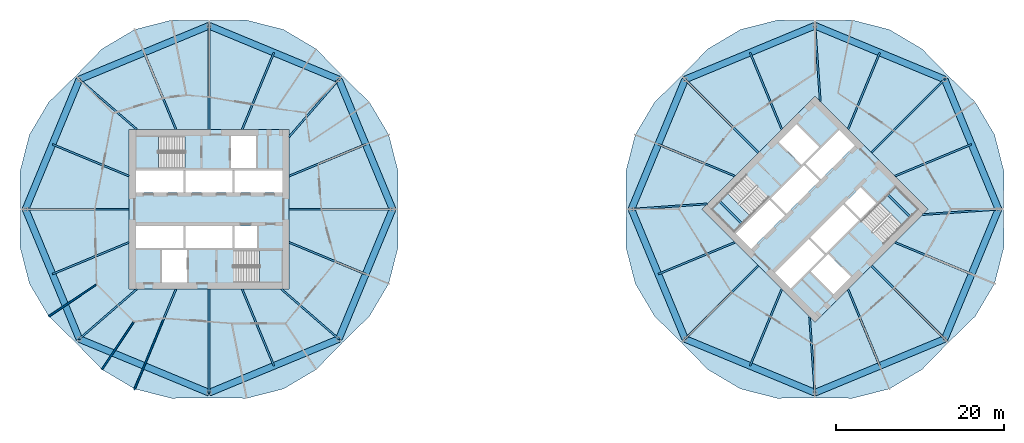
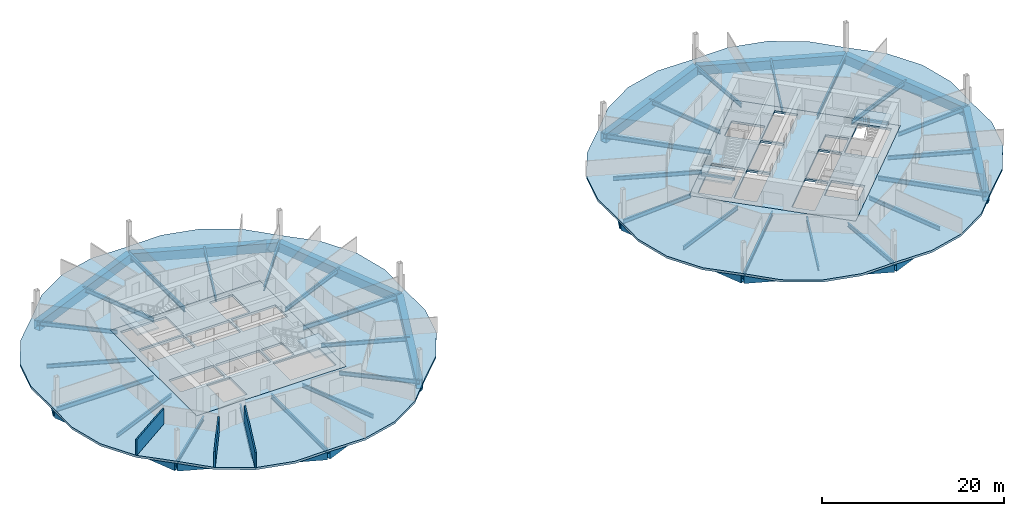
# One storey, part 3 of 9: 50 beams, 8 slabs, 3 walls, 4 elements without a shape of their own.
"""IFC4 building model written with IfcOpenShell, lengths in metres."""

from ifc_helpers import new_model, si_unit, direction, frame, frame_2d, origin, origin_2d, place, context, subcontext, project, spatial, polyline, rectangle, hollow_rectangle, i_section, outline, extrude, material, layer, layer_set, material_profile, profile_set, type_object, element, aggregate, save


model = new_model("IFC4")

# Units and contexts
model_context = context("Model", 3, precision=1e-05, world=origin(), true_north=direction((0.0, 1.0)))
body_context = subcontext(model_context, "Body", "Model", "MODEL_VIEW")
ifc_project = project(units=[si_unit("LENGTHUNIT", "METRE"), si_unit("AREAUNIT", "SQUARE_METRE"), si_unit("VOLUMEUNIT", "CUBIC_METRE"), si_unit("PLANEANGLEUNIT", "RADIAN"), si_unit("MASSUNIT", "GRAM", prefix="KILO")], contexts=[model_context])

# Site, building, storey
site_placement = place(None, origin())
site = spatial("IfcSite", under=ifc_project, at=site_placement, CompositionType="ELEMENT")
building_placement = place(site_placement, origin())
building = spatial("IfcBuilding", under=site, at=building_placement, Name="Ogive Gate Towers", CompositionType="ELEMENT")
storey_placement = place(building_placement, frame((0.0, 0.0, 40.199951171875)))
storey = spatial("IfcBuildingStorey", under=building, at=storey_placement, Name="L08", CompositionType="ELEMENT", Elevation=40.199951171875)

# Beams
ifc_material_1 = material(Name="Steel SM460", Category="steel")
ifc_material_profile_1 = material_profile(ifc_material_1, hollow_rectangle(XDim=0.800048828125, YDim=1.199951171875, WallThickness=0.050048828125, at=origin_2d()), Name="BX 1200x800x50")
ifc_profile_set_1 = profile_set([ifc_material_profile_1], Name="Steel SM460")
beam_type_1 = type_object("IfcBeamType", Name="Edge girder BX 1200x800x50", PredefinedType="BEAM", material=ifc_profile_set_1)
for number, where, z_axis, x_axis, name in (
    (1, (-51.422119140625, -15.422119140625, -0.89990234375), (0.923881893128, -0.382677733282, 0.0), (0.382677733282, 0.923881893128, 0.0), "T1/L08/SBM017"),
    (2, (-36.0, -21.81005859375, -0.89990234375), (0.923881893128, 0.382677733282, 0.0), (-0.382677733282, 0.923881893128, 0.0), "T1/L08/SBM018"),
    (3, (-20.577880859375, -15.422119140625, -0.89990234375), (0.382677733282, 0.923881893128, 0.0), (-0.923881893128, 0.382677733282, 0.0), "T1/L08/SBM019"),
    (4, (-14.18994140625, 0.0, -0.89990234375), (-0.382677733282, 0.923881893128, 0.0), (-0.923881893128, -0.382677733282, 0.0), "T1/L08/SBM020"),
    (5, (-20.577880859375, 15.422119140625, -0.89990234375), (-0.923881893128, 0.382677733282, 0.0), (-0.382677733282, -0.923881893128, 0.0), "T1/L08/SBM021"),
    (6, (-36.0, 21.81005859375, -0.89990234375), (-0.923881893128, -0.382677733282, 0.0), (0.382677733282, -0.923881893128, 0.0), "T1/L08/SBM022"),
    (7, (-51.422119140625, 15.422119140625, -0.89990234375), (-0.382677733282, -0.923881893128, 0.0), (0.923881893128, -0.382677733282, 0.0), "T1/L08/SBM023"),
    (8, (-57.81005859375, 0.0, -0.89990234375), (0.382677733282, -0.923881893128, 0.0), (0.923881893128, 0.382677733282, 0.0), "T1/L08/SBM024"),
    (9, (20.577880859375, -15.422119140625, -0.89990234375), (0.923881893128, -0.382677733282, 0.0), (0.382677733282, 0.923881893128, 0.0), "T2/L08/SBM017"),
    (10, (36.0, -21.81005859375, -0.89990234375), (0.923881893128, 0.382677733282, 0.0), (-0.382677733282, 0.923881893128, 0.0), "T2/L08/SBM018"),
    (11, (51.422119140625, -15.422119140625, -0.89990234375), (0.382677733282, 0.923881893128, 0.0), (-0.923881893128, 0.382677733282, 0.0), "T2/L08/SBM019"),
    (12, (57.81005859375, 0.0, -0.89990234375), (-0.382677733282, 0.923881893128, 0.0), (-0.923881893128, -0.382677733282, 0.0), "T2/L08/SBM020"),
    (13, (51.422119140625, 15.422119140625, -0.89990234375), (-0.923881893128, 0.382677733282, 0.0), (-0.382677733282, -0.923881893128, 0.0), "T2/L08/SBM021"),
    (14, (36.0, 21.81005859375, -0.89990234375), (-0.923881893128, -0.382677733282, 0.0), (0.382677733282, -0.923881893128, 0.0), "T2/L08/SBM022"),
    (15, (20.577880859375, 15.422119140625, -0.89990234375), (-0.382677733282, -0.923881893128, 0.0), (0.923881893128, -0.382677733282, 0.0), "T2/L08/SBM023"),
    (16, (14.18994140625, 0.0, -0.89990234375), (0.382677733282, -0.923881893128, 0.0), (0.923881893128, 0.382677733282, 0.0), "T2/L08/SBM024"),
):
    element("IfcBeam", number, at=place(storey_placement, frame(where, z_axis=z_axis, x_axis=x_axis)), inside=storey, type_object=beam_type_1, Name=name, PredefinedType="BEAM", context=body_context, shape_type="SweptSolid", body=[
        extrude(hollow_rectangle(XDim=0.800048828125, YDim=1.199951171875, WallThickness=0.050048828125, at=origin_2d()), origin(), (0.0, 0.0, 1.0), 16.692626953125),
    ])
ifc_material_2 = material(Name="Concrete C40/50", Category="concrete")
ifc_material_profile_2 = material_profile(ifc_material_2, rectangle(XDim=0.25, YDim=0.300048828125, at=origin_2d()), Name="RC 250x300")
ifc_profile_set_2 = profile_set([ifc_material_profile_2], Name="Concrete C40/50")
beam_type_2 = type_object("IfcBeamType", Name="Landing bearer RC 250x300", PredefinedType="BEAM", material=ifc_profile_set_2)
for number, where, z_axis, x_axis, name in (
    (17, (24.650390625, 0.9541015625, 1.60009765625), (0.707106781187, -0.707106781187, 0.0), (0.707106781187, 0.707106781187, 0.0), "T2 L08 stair 1 landing bearer 1"),
    (18, (47.349609375, -0.9541015625, 1.60009765625), (-0.707106781187, 0.707106781187, 0.0), (-0.707106781187, -0.707106781187, 0.0), "T2 L08 stair 2 landing bearer 1"),
):
    element("IfcBeam", number, at=place(storey_placement, frame(where, z_axis=z_axis, x_axis=x_axis)), inside=storey, type_object=beam_type_2, Name=name, PredefinedType="BEAM", context=body_context, shape_type="SweptSolid", body=[
        extrude(rectangle(XDim=0.25, YDim=0.300048828125, at=origin_2d()), origin(), (0.0, 0.0, 1.0), 3.824951171875),
    ])
ifc_material_3 = material(Name="Steel SM355", Category="steel")
ifc_material_profile_3 = material_profile(ifc_material_3, i_section(OverallWidth=0.2099609375, OverallDepth=0.550048828125, WebThickness=0.010986328125, FlangeThickness=0.01708984375, FilletRadius=0.02392578125, at=origin_2d()), Name="IPE 550")
ifc_profile_set_3 = profile_set([ifc_material_profile_3], Name="Steel SM355")
beam_type_3 = type_object("IfcBeamType", Name="Radial floor beam IPE 550", PredefinedType="BEAM", material=ifc_profile_set_3)
beam_1_placement = place(storey_placement, frame((-44.60009765625, -9.5, -0.574951171875), z_axis=(-0.755157389596, -0.655543527875, 0.0), x_axis=(0.655543527875, -0.755157389596, 0.0)))
element("IfcBeam", 19, at=beam_1_placement, inside=storey, type_object=beam_type_3, Name="T1/L08/SBM001", PredefinedType="BEAM", context=body_context, shape_type="SweptSolid", body=[
    extrude(i_section(OverallWidth=0.2099609375, OverallDepth=0.550048828125, WebThickness=0.010986328125, FlangeThickness=0.01708984375, FilletRadius=0.02392578125, at=origin_2d()), origin(), (0.0, 0.0, 1.0), 9.033935546875),
])
for number, where, z_axis, x_axis, name in (
    (20, (-39.93505859375, -9.5, -0.574951171875), (-0.38267666976, -0.923882333645, 0.0), (0.923882333645, -0.38267666976, 0.0), "T1/L08/SBM002"),
    (21, (-32.06494140625, -9.5, -0.574951171875), (0.38267666976, -0.923882333645, 0.0), (0.923882333645, 0.38267666976, 0.0), "T1/L08/SBM004"),
):
    element("IfcBeam", number, at=place(storey_placement, frame(where, z_axis=z_axis, x_axis=x_axis)), inside=storey, type_object=beam_type_3, Name=name, PredefinedType="BEAM", context=body_context, shape_type="SweptSolid", body=[
        extrude(i_section(OverallWidth=0.2099609375, OverallDepth=0.550048828125, WebThickness=0.010986328125, FlangeThickness=0.01708984375, FilletRadius=0.02392578125, at=origin_2d()), origin(), (0.0, 0.0, 1.0), 9.866943359375),
    ])
beam_2_placement = place(storey_placement, frame((-27.39990234375, -9.5, -0.574951171875), z_axis=(0.755157389596, -0.655543527875, 0.0), x_axis=(0.655543527875, 0.755157389596, 0.0)))
element("IfcBeam", 22, at=beam_2_placement, inside=storey, type_object=beam_type_3, Name="T1/L08/SBM005", PredefinedType="BEAM", context=body_context, shape_type="SweptSolid", body=[
    extrude(i_section(OverallWidth=0.2099609375, OverallDepth=0.550048828125, WebThickness=0.010986328125, FlangeThickness=0.01708984375, FilletRadius=0.02392578125, at=origin_2d()), origin(), (0.0, 0.0, 1.0), 9.033935546875),
])
for number, where, z_axis, x_axis, name in (
    (23, (-26.5, -3.93505859375, -0.574951171875), (0.923882333645, -0.38267666976, 0.0), (0.38267666976, 0.923882333645, 0.0), "T1/L08/SBM006"),
    (24, (-26.5, 3.93505859375, -0.574951171875), (0.923882333645, 0.38267666976, 0.0), (-0.38267666976, 0.923882333645, 0.0), "T1/L08/SBM008"),
):
    element("IfcBeam", number, at=place(storey_placement, frame(where, z_axis=z_axis, x_axis=x_axis)), inside=storey, type_object=beam_type_3, Name=name, PredefinedType="BEAM", context=body_context, shape_type="SweptSolid", body=[
        extrude(i_section(OverallWidth=0.2099609375, OverallDepth=0.550048828125, WebThickness=0.010986328125, FlangeThickness=0.01708984375, FilletRadius=0.02392578125, at=origin_2d()), origin(), (0.0, 0.0, 1.0), 9.866943359375),
    ])
beam_3_placement = place(storey_placement, frame((-26.5, 8.60009765625, -0.574951171875), z_axis=(0.655543527875, 0.755157389596, 0.0), x_axis=(-0.755157389596, 0.655543527875, 0.0)))
element("IfcBeam", 25, at=beam_3_placement, inside=storey, type_object=beam_type_3, Name="T1/L08/SBM009", PredefinedType="BEAM", context=body_context, shape_type="SweptSolid", body=[
    extrude(i_section(OverallWidth=0.2099609375, OverallDepth=0.550048828125, WebThickness=0.010986328125, FlangeThickness=0.01708984375, FilletRadius=0.02392578125, at=origin_2d()), origin(), (0.0, 0.0, 1.0), 9.033935546875),
])
for number, where, z_axis, x_axis, name in (
    (26, (-32.06494140625, 9.5, -0.574951171875), (0.38267666976, 0.923882333645, 0.0), (-0.923882333645, 0.38267666976, 0.0), "T1/L08/SBM010"),
    (27, (-39.93505859375, 9.5, -0.574951171875), (-0.38267666976, 0.923882333645, 0.0), (-0.923882333645, -0.38267666976, 0.0), "T1/L08/SBM012"),
):
    element("IfcBeam", number, at=place(storey_placement, frame(where, z_axis=z_axis, x_axis=x_axis)), inside=storey, type_object=beam_type_3, Name=name, PredefinedType="BEAM", context=body_context, shape_type="SweptSolid", body=[
        extrude(i_section(OverallWidth=0.2099609375, OverallDepth=0.550048828125, WebThickness=0.010986328125, FlangeThickness=0.01708984375, FilletRadius=0.02392578125, at=origin_2d()), origin(), (0.0, 0.0, 1.0), 9.866943359375),
    ])
beam_4_placement = place(storey_placement, frame((-44.60009765625, 9.5, -0.574951171875), z_axis=(-0.755157389596, 0.655543527875, 0.0), x_axis=(-0.655543527875, -0.755157389596, 0.0)))
element("IfcBeam", 28, at=beam_4_placement, inside=storey, type_object=beam_type_3, Name="T1/L08/SBM013", PredefinedType="BEAM", context=body_context, shape_type="SweptSolid", body=[
    extrude(i_section(OverallWidth=0.2099609375, OverallDepth=0.550048828125, WebThickness=0.010986328125, FlangeThickness=0.01708984375, FilletRadius=0.02392578125, at=origin_2d()), origin(), (0.0, 0.0, 1.0), 9.033935546875),
])
for number, where, z_axis, x_axis, name in (
    (29, (-45.5, 3.93505859375, -0.574951171875), (-0.923882333645, 0.38267666976, 0.0), (-0.38267666976, -0.923882333645, 0.0), "T1/L08/SBM014"),
    (30, (-45.5, -3.93505859375, -0.574951171875), (-0.923882333645, -0.38267666976, 0.0), (0.38267666976, -0.923882333645, 0.0), "T1/L08/SBM016"),
    (31, (32.06494140625, -9.5, -0.574951171875), (-0.38267666976, -0.923882333645, 0.0), (0.923882333645, -0.38267666976, 0.0), "T2/L08/SBM002"),
):
    element("IfcBeam", number, at=place(storey_placement, frame(where, z_axis=z_axis, x_axis=x_axis)), inside=storey, type_object=beam_type_3, Name=name, PredefinedType="BEAM", context=body_context, shape_type="SweptSolid", body=[
        extrude(i_section(OverallWidth=0.2099609375, OverallDepth=0.550048828125, WebThickness=0.010986328125, FlangeThickness=0.01708984375, FilletRadius=0.02392578125, at=origin_2d()), origin(), (0.0, 0.0, 1.0), 9.866943359375),
    ])
beam_5_placement = place(storey_placement, frame((35.363525390625, -12.798583984375, -0.574951171875), z_axis=(0.070453840617, -0.99751504066, 0.0), x_axis=(0.99751504066, 0.070453840617, 0.0)))
element("IfcBeam", 32, at=beam_5_placement, inside=storey, type_object=beam_type_3, Name="T2/L08/SBM003", PredefinedType="BEAM", context=body_context, shape_type="SweptSolid", body=[
    extrude(i_section(OverallWidth=0.2099609375, OverallDepth=0.550048828125, WebThickness=0.010986328125, FlangeThickness=0.01708984375, FilletRadius=0.02392578125, at=origin_2d()), origin(), (0.0, 0.0, 1.0), 9.033935546875),
])
for number, where, z_axis, x_axis, name in (
    (33, (39.93505859375, -9.5, -0.574951171875), (0.38267666976, -0.923882333645, 0.0), (0.923882333645, 0.38267666976, 0.0), "T2/L08/SBM004"),
    (34, (45.5, -3.93505859375, -0.574951171875), (0.923882333645, -0.38267666976, 0.0), (0.38267666976, 0.923882333645, 0.0), "T2/L08/SBM006"),
):
    element("IfcBeam", number, at=place(storey_placement, frame(where, z_axis=z_axis, x_axis=x_axis)), inside=storey, type_object=beam_type_3, Name=name, PredefinedType="BEAM", context=body_context, shape_type="SweptSolid", body=[
        extrude(i_section(OverallWidth=0.2099609375, OverallDepth=0.550048828125, WebThickness=0.010986328125, FlangeThickness=0.01708984375, FilletRadius=0.02392578125, at=origin_2d()), origin(), (0.0, 0.0, 1.0), 9.866943359375),
    ])
beam_6_placement = place(storey_placement, frame((48.798583984375, -0.636474609375, -0.574951171875), z_axis=(0.99751504066, 0.070453840617, 0.0), x_axis=(-0.070453840617, 0.99751504066, 0.0)))
element("IfcBeam", 35, at=beam_6_placement, inside=storey, type_object=beam_type_3, Name="T2/L08/SBM007", PredefinedType="BEAM", context=body_context, shape_type="SweptSolid", body=[
    extrude(i_section(OverallWidth=0.2099609375, OverallDepth=0.550048828125, WebThickness=0.010986328125, FlangeThickness=0.01708984375, FilletRadius=0.02392578125, at=origin_2d()), origin(), (0.0, 0.0, 1.0), 9.033935546875),
])
for number, where, z_axis, x_axis, name in (
    (36, (45.5, 3.93505859375, -0.574951171875), (0.923882333645, 0.38267666976, 0.0), (-0.38267666976, 0.923882333645, 0.0), "T2/L08/SBM008"),
    (37, (39.93505859375, 9.5, -0.574951171875), (0.38267666976, 0.923882333645, 0.0), (-0.923882333645, 0.38267666976, 0.0), "T2/L08/SBM010"),
):
    element("IfcBeam", number, at=place(storey_placement, frame(where, z_axis=z_axis, x_axis=x_axis)), inside=storey, type_object=beam_type_3, Name=name, PredefinedType="BEAM", context=body_context, shape_type="SweptSolid", body=[
        extrude(i_section(OverallWidth=0.2099609375, OverallDepth=0.550048828125, WebThickness=0.010986328125, FlangeThickness=0.01708984375, FilletRadius=0.02392578125, at=origin_2d()), origin(), (0.0, 0.0, 1.0), 9.866943359375),
    ])
beam_7_placement = place(storey_placement, frame((36.636474609375, 12.798583984375, -0.574951171875), z_axis=(-0.070453840617, 0.99751504066, 0.0), x_axis=(-0.99751504066, -0.070453840617, 0.0)))
element("IfcBeam", 38, at=beam_7_placement, inside=storey, type_object=beam_type_3, Name="T2/L08/SBM011", PredefinedType="BEAM", context=body_context, shape_type="SweptSolid", body=[
    extrude(i_section(OverallWidth=0.2099609375, OverallDepth=0.550048828125, WebThickness=0.010986328125, FlangeThickness=0.01708984375, FilletRadius=0.02392578125, at=origin_2d()), origin(), (0.0, 0.0, 1.0), 9.033935546875),
])
for number, where, z_axis, x_axis, name in (
    (39, (32.06494140625, 9.5, -0.574951171875), (-0.38267666976, 0.923882333645, 0.0), (-0.923882333645, -0.38267666976, 0.0), "T2/L08/SBM012"),
    (40, (26.5, 3.93505859375, -0.574951171875), (-0.923882333645, 0.38267666976, 0.0), (-0.38267666976, -0.923882333645, 0.0), "T2/L08/SBM014"),
):
    element("IfcBeam", number, at=place(storey_placement, frame(where, z_axis=z_axis, x_axis=x_axis)), inside=storey, type_object=beam_type_3, Name=name, PredefinedType="BEAM", context=body_context, shape_type="SweptSolid", body=[
        extrude(i_section(OverallWidth=0.2099609375, OverallDepth=0.550048828125, WebThickness=0.010986328125, FlangeThickness=0.01708984375, FilletRadius=0.02392578125, at=origin_2d()), origin(), (0.0, 0.0, 1.0), 9.866943359375),
    ])
beam_8_placement = place(storey_placement, frame((23.201416015625, 0.636474609375, -0.574951171875), z_axis=(-0.99751504066, -0.070453840617, 0.0), x_axis=(0.070453840617, -0.99751504066, 0.0)))
element("IfcBeam", 41, at=beam_8_placement, inside=storey, type_object=beam_type_3, Name="T2/L08/SBM015", PredefinedType="BEAM", context=body_context, shape_type="SweptSolid", body=[
    extrude(i_section(OverallWidth=0.2099609375, OverallDepth=0.550048828125, WebThickness=0.010986328125, FlangeThickness=0.01708984375, FilletRadius=0.02392578125, at=origin_2d()), origin(), (0.0, 0.0, 1.0), 9.033935546875),
])
beam_9_placement = place(storey_placement, frame((26.5, -3.93505859375, -0.574951171875), z_axis=(-0.923882333645, -0.38267666976, 0.0), x_axis=(0.38267666976, -0.923882333645, 0.0)))
element("IfcBeam", 42, at=beam_9_placement, inside=storey, type_object=beam_type_3, Name="T2/L08/SBM016", PredefinedType="BEAM", context=body_context, shape_type="SweptSolid", body=[
    extrude(i_section(OverallWidth=0.2099609375, OverallDepth=0.550048828125, WebThickness=0.010986328125, FlangeThickness=0.01708984375, FilletRadius=0.02392578125, at=origin_2d()), origin(), (0.0, 0.0, 1.0), 9.866943359375),
])
ifc_material_profile_4 = material_profile(ifc_material_3, i_section(OverallWidth=0.219970703125, OverallDepth=0.60009765625, WebThickness=0.011962890625, FlangeThickness=0.01904296875, FilletRadius=0.02392578125, at=origin_2d()), Name="IPE 600")
ifc_profile_set_4 = profile_set([ifc_material_profile_4], Name="Steel SM355")
beam_type_4 = type_object("IfcBeamType", Name="Radial floor beam IPE 600", PredefinedType="BEAM", material=ifc_profile_set_4)
for number, where, z_axis, x_axis, name in (
    (43, (-36.0, -9.5, -0.599853515625), (0.0, -1.0, 0.0), (1.0, 0.0, 0.0), "T1/L08/SBM003"),
    (44, (-26.5, 0.0, -0.599853515625), (1.0, 0.0, 0.0), (0.0, 1.0, 0.0), "T1/L08/SBM007"),
    (45, (-36.0, 9.5, -0.599853515625), (0.0, 1.0, 0.0), (-1.0, 0.0, 0.0), "T1/L08/SBM011"),
    (46, (-45.5, 0.0, -0.599853515625), (-1.0, 0.0, 0.0), (0.0, -1.0, 0.0), "T1/L08/SBM015"),
    (47, (29.282470703125, -6.717529296875, -0.599853515625), (-0.707106781187, -0.707106781187, 0.0), (0.707106781187, -0.707106781187, 0.0), "T2/L08/SBM001"),
    (48, (42.717529296875, -6.717529296875, -0.599853515625), (0.707106781187, -0.707106781187, 0.0), (0.707106781187, 0.707106781187, 0.0), "T2/L08/SBM005"),
    (49, (42.717529296875, 6.717529296875, -0.599853515625), (0.707106781187, 0.707106781187, 0.0), (-0.707106781187, 0.707106781187, 0.0), "T2/L08/SBM009"),
    (50, (29.282470703125, 6.717529296875, -0.599853515625), (-0.707106781187, 0.707106781187, 0.0), (-0.707106781187, -0.707106781187, 0.0), "T2/L08/SBM013"),
):
    element("IfcBeam", number, at=place(storey_placement, frame(where, z_axis=z_axis, x_axis=x_axis)), inside=storey, type_object=beam_type_4, Name=name, PredefinedType="BEAM", context=body_context, shape_type="SweptSolid", body=[
        extrude(i_section(OverallWidth=0.219970703125, OverallDepth=0.60009765625, WebThickness=0.011962890625, FlangeThickness=0.01904296875, FilletRadius=0.02392578125, at=origin_2d()), origin(), (0.0, 0.0, 1.0), 12.31005859375),
    ])

# Slabs
ifc_layer_1 = layer(ifc_material_2, 0.300048828125)
ifc_layer_set_1 = layer_set([ifc_layer_1], Name="Core slab C40/50 300 mm")
slab_type_1 = type_object("IfcSlabType", Name="Core slab C40/50 300 mm", PredefinedType="FLOOR", material=ifc_layer_set_1)
slab_1_placement = place(storey_placement, frame((0.0, 0.0, -0.300048828125)))
element("IfcSlab", 51, at=slab_1_placement, inside=storey, type_object=slab_type_1, Name="T1 L08 core slab", PredefinedType="FLOOR", context=body_context, shape_type="SweptSolid", body=[
    extrude(outline(polyline([(-26.5, 9.5), (-26.5, -9.5), (-45.5, -9.5), (-45.5, 9.5), (-26.5, 9.5)]), holes=[polyline([(-39.02490234375, 4.625), (-44.699951171875, 4.625), (-44.699951171875, 2.0), (-39.02490234375, 2.0), (-39.02490234375, 4.625)]), polyline([(-33.22509765625, 2.0), (-33.22509765625, 4.625), (-38.77490234375, 4.625), (-38.77490234375, 2.0), (-33.22509765625, 2.0)]), polyline([(-32.97509765625, 2.0), (-27.300048828125, 2.0), (-27.300048828125, 4.625), (-32.97509765625, 4.625), (-32.97509765625, 2.0)]), polyline([(-44.699951171875, -2.0), (-44.699951171875, -4.625), (-39.02490234375, -4.625), (-39.02490234375, -2.0), (-44.699951171875, -2.0)]), polyline([(-33.22509765625, -2.0), (-38.77490234375, -2.0), (-38.77490234375, -4.625), (-33.22509765625, -4.625), (-33.22509765625, -2.0)]), polyline([(-30.324951171875, -4.625), (-30.324951171875, -2.0), (-32.97509765625, -2.0), (-32.97509765625, -4.625), (-30.324951171875, -4.625)]), polyline([(-33.375, 4.875), (-30.425048828125, 4.875), (-30.425048828125, 8.699951171875), (-33.375, 8.699951171875), (-33.375, 4.875)]), polyline([(-41.574951171875, -4.875), (-41.574951171875, -8.699951171875), (-38.625, -8.699951171875), (-38.625, -4.875), (-41.574951171875, -4.875)]), polyline([(-44.699951171875, 4.875), (-38.885009765625, 4.875), (-38.885009765625, 8.699951171875), (-44.699951171875, 8.699951171875), (-44.699951171875, 4.875)]), polyline([(-27.300048828125, -8.699951171875), (-27.300048828125, -4.875), (-33.114990234375, -4.875), (-33.114990234375, -8.699951171875), (-27.300048828125, -8.699951171875)])]), origin(), (0.0, 0.0, 1.0), 0.300048828125),
])
slab_2_placement = place(storey_placement, frame((0.0, 0.0, -0.300048828125)))
element("IfcSlab", 52, at=slab_2_placement, inside=storey, type_object=slab_type_1, Name="T2 L08 core slab", PredefinedType="FLOOR", context=body_context, shape_type="SweptSolid", body=[
    extrude(outline(polyline([(36.0, 13.43505859375), (49.43505859375, 0.0), (36.0, -13.43505859375), (22.56494140625, 0.0), (36.0, 13.43505859375)]), holes=[polyline([(30.590576171875, 1.13134765625), (26.577880859375, -2.881591796875), (28.43408203125, -4.737548828125), (32.44677734375, -0.724853515625), (30.590576171875, 1.13134765625)]), polyline([(36.548095703125, 3.37646484375), (34.69189453125, 5.232666015625), (30.767333984375, 1.30810546875), (32.62353515625, -0.548095703125), (36.548095703125, 3.37646484375)]), polyline([(36.724853515625, 3.55322265625), (40.737548828125, 7.56591796875), (38.881591796875, 9.422119140625), (34.86865234375, 5.409423828125), (36.724853515625, 3.55322265625)]), polyline([(31.262451171875, -7.56591796875), (33.118408203125, -9.422119140625), (37.13134765625, -5.409423828125), (35.275146484375, -3.55322265625), (31.262451171875, -7.56591796875)]), polyline([(39.37646484375, 0.548095703125), (35.451904296875, -3.37646484375), (37.30810546875, -5.232666015625), (41.232666015625, -1.30810546875), (39.37646484375, 0.548095703125)]), polyline([(43.283203125, 0.742431640625), (41.427001953125, 2.5986328125), (39.55322265625, 0.724853515625), (41.409423828125, -1.13134765625), (43.283203125, 0.742431640625)]), polyline([(34.408935546875, 5.30322265625), (36.4951171875, 7.389404296875), (33.790283203125, 10.093994140625), (31.704345703125, 8.008056640625), (34.408935546875, 5.30322265625)]), polyline([(35.5048828125, -7.389404296875), (38.209716796875, -10.093994140625), (40.295654296875, -8.008056640625), (37.591064453125, -5.30322265625), (35.5048828125, -7.389404296875)]), polyline([(26.40087890625, -2.70458984375), (30.512939453125, 1.406982421875), (27.80810546875, 4.11181640625), (23.6962890625, 0.0), (26.40087890625, -2.70458984375)]), polyline([(48.3037109375, 0.0), (45.59912109375, 2.70458984375), (41.487060546875, -1.406982421875), (44.19189453125, -4.11181640625), (48.3037109375, 0.0)])]), origin(), (0.0, 0.0, 1.0), 0.300048828125),
])
ifc_material_4 = material(Name="Concrete C35/45", Category="concrete")
ifc_layer_2 = layer(ifc_material_4, 0.300048828125)
ifc_layer_set_2 = layer_set([ifc_layer_2], Name="Floor slab 300")
slab_type_2 = type_object("IfcSlabType", Name="Floor slab 300", PredefinedType="FLOOR", material=ifc_layer_set_2)
slab_3_placement = place(storey_placement, frame((0.0, 0.0, -0.300048828125)))
element("IfcSlab", 53, at=slab_3_placement, inside=storey, type_object=slab_type_2, Name="T1/L08/SSL001", PredefinedType="FLOOR", context=body_context, shape_type="SweptSolid", body=[
    extrude(outline(polyline([(-13.5302734375, -4.469482421875), (-13.590087890625, 0.0), (-13.5302734375, 4.469482421875), (-14.649169921875, 8.84375), (-16.950927734375, 12.72802734375), (-20.15380859375, 15.84619140625), (-23.27197265625, 19.049072265625), (-27.15625, 21.350830078125), (-31.530517578125, 22.4697265625), (-36.0, 22.409912109375), (-40.469482421875, 22.4697265625), (-44.84375, 21.350830078125), (-48.72802734375, 19.049072265625), (-51.84619140625, 15.84619140625), (-55.049072265625, 12.72802734375), (-57.350830078125, 8.84375), (-58.4697265625, 4.469482421875), (-58.409912109375, 0.0), (-58.4697265625, -4.469482421875), (-57.350830078125, -8.84375), (-55.049072265625, -12.72802734375), (-51.84619140625, -15.84619140625), (-48.72802734375, -19.049072265625), (-44.84375, -21.350830078125), (-40.469482421875, -22.4697265625), (-36.0, -22.409912109375), (-31.530517578125, -22.4697265625), (-27.15625, -21.350830078125), (-23.27197265625, -19.049072265625), (-20.15380859375, -15.84619140625), (-16.950927734375, -12.72802734375), (-14.649169921875, -8.84375), (-13.5302734375, -4.469482421875)]), holes=[polyline([(-26.5, -9.5), (-45.5, -9.5), (-45.5, 9.5), (-26.5, 9.5), (-26.5, -9.5)])]), origin(), (0.0, 0.0, 1.0), 0.300048828125),
])
slab_4_placement = place(storey_placement, frame((0.0, 0.0, -0.300048828125)))
element("IfcSlab", 54, at=slab_4_placement, inside=storey, type_object=slab_type_2, Name="T2/L08/SSL001", PredefinedType="FLOOR", context=body_context, shape_type="SweptSolid", body=[
    extrude(outline(polyline([(58.4697265625, -4.469482421875), (58.409912109375, 0.0), (58.4697265625, 4.469482421875), (57.350830078125, 8.84375), (55.049072265625, 12.72802734375), (51.84619140625, 15.84619140625), (48.72802734375, 19.049072265625), (44.84375, 21.350830078125), (40.469482421875, 22.4697265625), (36.0, 22.409912109375), (31.530517578125, 22.4697265625), (27.15625, 21.350830078125), (23.27197265625, 19.049072265625), (20.15380859375, 15.84619140625), (16.950927734375, 12.72802734375), (14.649169921875, 8.84375), (13.5302734375, 4.469482421875), (13.590087890625, 0.0), (13.5302734375, -4.469482421875), (14.649169921875, -8.84375), (16.950927734375, -12.72802734375), (20.15380859375, -15.84619140625), (23.27197265625, -19.049072265625), (27.15625, -21.350830078125), (31.530517578125, -22.4697265625), (36.0, -22.409912109375), (40.469482421875, -22.4697265625), (44.84375, -21.350830078125), (48.72802734375, -19.049072265625), (51.84619140625, -15.84619140625), (55.049072265625, -12.72802734375), (57.350830078125, -8.84375), (58.4697265625, -4.469482421875)]), holes=[polyline([(49.43505859375, 0.0), (36.0, -13.43505859375), (22.56494140625, 0.0), (36.0, 13.43505859375), (49.43505859375, 0.0)])]), origin(), (0.0, 0.0, 1.0), 0.300048828125),
])

# Stair, slab
stair_type = type_object("IfcStairType", Name="Escape stair 1840 wide", PredefinedType="HALF_TURN_STAIR", material=ifc_material_2)
stair_1_placement = place(storey_placement, origin())
stair_1 = element("IfcStair", 55, at=stair_1_placement, inside=storey, type_object=stair_type, Name="L08 Escape stair 1", PredefinedType="HALF_TURN_STAIR")
ifc_layer_3 = layer(ifc_material_2, 0.199951171875)
ifc_layer_set_3 = layer_set([ifc_layer_3], Name="Stair landing 200 mm")
slab_type_3 = type_object("IfcSlabType", Name="Stair landing 200 mm", PredefinedType="LANDING", material=ifc_layer_set_3)
slab_5_placement = place(storey_placement, frame((0.0, 0.0, 1.75)))
slab_5 = element("IfcSlab", 56, at=slab_5_placement, type_object=slab_type_3, Name="ST1 landing 1", PredefinedType="LANDING", context=body_context, shape_type="SweptSolid", body=[
    extrude(outline(polyline([(-42.00146484375, 8.699951171875), (-44.699951171875, 8.699951171875), (-44.699951171875, 4.875), (-42.00146484375, 4.875), (-42.00146484375, 8.699951171875)])), origin(), (0.0, 0.0, 1.0), 0.199951171875),
])
aggregate(stair_1, [slab_5])

stair_2_placement = place(storey_placement, origin())
stair_2 = element("IfcStair", 57, at=stair_2_placement, inside=storey, type_object=stair_type, Name="L08 Escape stair 2", PredefinedType="HALF_TURN_STAIR")
slab_6_placement = place(storey_placement, frame((0.0, 0.0, 1.75)))
slab_6 = element("IfcSlab", 58, at=slab_6_placement, type_object=slab_type_3, Name="ST2 landing 1", PredefinedType="LANDING", context=body_context, shape_type="SweptSolid", body=[
    extrude(outline(polyline([(-29.99853515625, -8.699951171875), (-27.300048828125, -8.699951171875), (-27.300048828125, -4.875), (-29.99853515625, -4.875), (-29.99853515625, -8.699951171875)])), origin(), (0.0, 0.0, 1.0), 0.199951171875),
])
aggregate(stair_2, [slab_6])

stair_3_placement = place(storey_placement, origin())
stair_3 = element("IfcStair", 59, at=stair_3_placement, inside=storey, type_object=stair_type, Name="L08 Escape stair 1", PredefinedType="HALF_TURN_STAIR")
slab_7_placement = place(storey_placement, frame((0.0, 0.0, 1.75)))
slab_7 = element("IfcSlab", 60, at=slab_7_placement, type_object=slab_type_3, Name="ST1 landing 1", PredefinedType="LANDING", context=body_context, shape_type="SweptSolid", body=[
    extrude(outline(polyline([(25.6044921875, 1.908203125), (23.6962890625, 0.0), (26.401123046875, -2.70458984375), (28.309326171875, -0.79638671875), (25.6044921875, 1.908203125)])), origin(), (0.0, 0.0, 1.0), 0.199951171875),
])
aggregate(stair_3, [slab_7])

stair_4_placement = place(storey_placement, origin())
stair_4 = element("IfcStair", 61, at=stair_4_placement, inside=storey, type_object=stair_type, Name="L08 Escape stair 2", PredefinedType="HALF_TURN_STAIR")
slab_8_placement = place(storey_placement, frame((0.0, 0.0, 1.75)))
slab_8 = element("IfcSlab", 62, at=slab_8_placement, type_object=slab_type_3, Name="ST2 landing 1", PredefinedType="LANDING", context=body_context, shape_type="SweptSolid", body=[
    extrude(outline(polyline([(46.3955078125, -1.908203125), (48.3037109375, 0.0), (45.598876953125, 2.70458984375), (43.690673828125, 0.79638671875), (46.3955078125, -1.908203125)])), origin(), (0.0, 0.0, 1.0), 0.199951171875),
])
aggregate(stair_4, [slab_8])

# Walls
ifc_material_5 = material(Name="Gypsum board acoustic partition")
ifc_layer_4 = layer(ifc_material_5, 0.175048828125)
ifc_layer_set_4 = layer_set([ifc_layer_4], Name="Acoustic partition 175")
wall_type = type_object("IfcWallType", Name="Acoustic partition 175", PredefinedType="PARTITIONING", material=ifc_layer_set_4)
for number, where, z_axis, x_axis, name in (
    (63, (-55.044189453125, -12.734375, 0.0), (0.0, 0.0, 1.0), (0.831275043359, 0.555861315697, 0.0), "Partition T1-L08-011"),
    (64, (-48.734375, -19.044189453125, 0.0), (0.0, 0.0, 1.0), (0.555861315697, 0.831275043359, 0.0), "Partition T1-L08-012"),
):
    element("IfcWall", number, at=place(storey_placement, frame(where, z_axis=z_axis, x_axis=x_axis)), inside=storey, type_object=wall_type, Name=name, PredefinedType="PARTITIONING", context=body_context, shape_type="SweptSolid", body=[
        extrude(rectangle(XDim=6.741455078125, YDim=0.175048828125, at=frame_2d((3.37060546875, 0.0))), origin(), (0.0, 0.0, 1.0), 2.10009765625),
    ])
wall_placement = place(storey_placement, frame((-44.885986328125, -21.452880859375, 0.0), z_axis=(0.0, 0.0, 1.0), x_axis=(0.382679495808, 0.923881163077, 0.0)))
element("IfcWall", 65, at=wall_placement, inside=storey, type_object=wall_type, Name="Partition T1-L08-013", PredefinedType="PARTITIONING", context=body_context, shape_type="SweptSolid", body=[
    extrude(rectangle(XDim=9.10205078125, YDim=0.175048828125, at=frame_2d((4.551025390625, 0.0))), origin(), (0.0, 0.0, 1.0), 2.10009765625),
])

save(model, "model.ifc")
